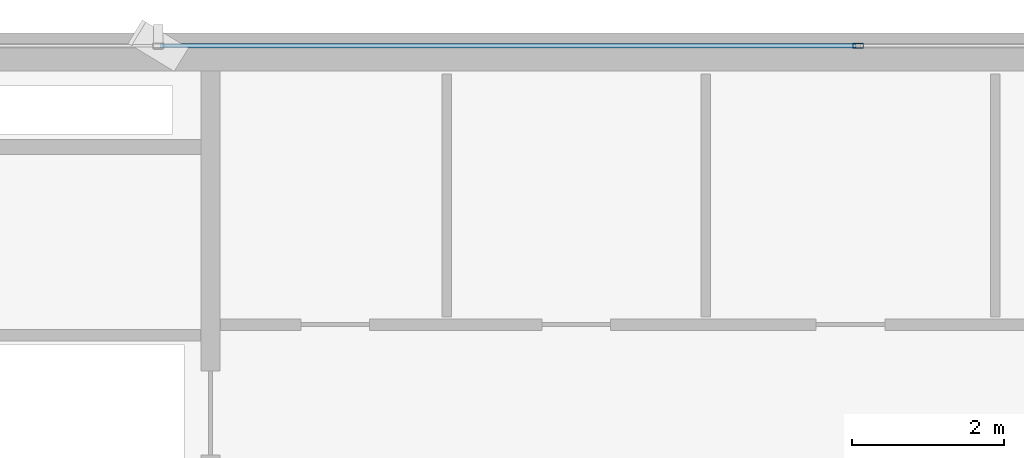
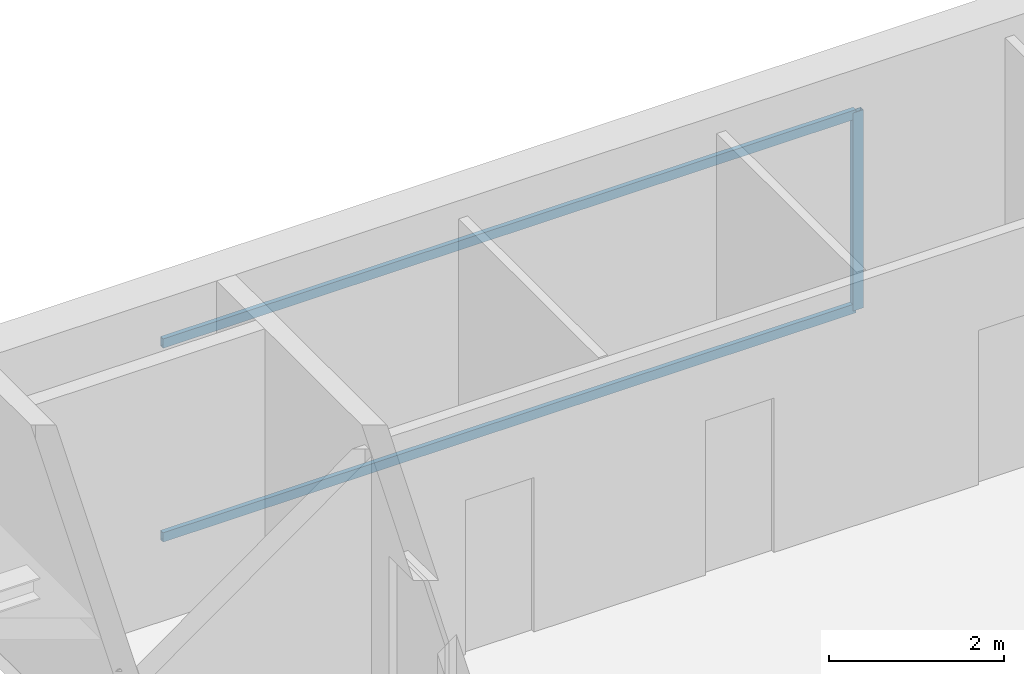
# One storey, part 20 of 29: 3 members, 1 element without a shape of its own.
"""IFC4 building model written with IfcOpenShell, lengths in metres."""

from ifc_helpers import new_model, si_unit, direction, frame, origin, origin_2d, place, context, subcontext, project, spatial, hollow_rectangle, extrude, source, transform, mapped, material, layer, layer_set, material_profile, profile_set, type_object, element, aggregate, save


model = new_model("IFC4")

# Units and contexts
model_context = context("Model", 3, precision=1e-05, world=origin(), true_north=direction((0.0, 1.0)))
body_context = subcontext(model_context, "Body", "Model", "MODEL_VIEW")
ifc_project = project(units=[si_unit("LENGTHUNIT", "METRE"), si_unit("AREAUNIT", "SQUARE_METRE"), si_unit("VOLUMEUNIT", "CUBIC_METRE"), si_unit("PLANEANGLEUNIT", "RADIAN"), si_unit("MASSUNIT", "GRAM", prefix="KILO")], contexts=[model_context])

# Site, building, storey
site_placement = place(None, origin())
site = spatial("IfcSite", under=ifc_project, at=site_placement, CompositionType="ELEMENT")
building_placement = place(site_placement, origin())
building = spatial("IfcBuilding", under=site, at=building_placement, Name="Sumidabori Civic Tower", CompositionType="ELEMENT")
storey_placement = place(building_placement, frame((0.0, 0.0, 207.199951171875)))
storey = spatial("IfcBuildingStorey", under=building, at=storey_placement, Name="L53", CompositionType="ELEMENT", Elevation=207.199951171875)

# Curtain wall, members
ifc_material = material(Name="Anodised Bronze Aluminium AW-6063-T6", Category="aluminium")
ifc_layer = layer(ifc_material, 0.179931640625, Name="Anodised Bronze Aluminium AW-6063-T6")
ifc_layer_set = layer_set([ifc_layer], Name="Anodised Bronze Aluminium AW-6063-T6")
curtain_wall_type = type_object("IfcCurtainWallType", Name="CW-SYS-5", PredefinedType="NOTDEFINED", material=ifc_layer_set)
curtain_wall_placement = place(storey_placement, origin())
curtain_wall = element("IfcCurtainWall", 1, at=curtain_wall_placement, inside=storey, type_object=curtain_wall_type, Name="Curtain Wall CW:L53:R13", PredefinedType="NOTDEFINED")
ifc_material_profile_1 = material_profile(ifc_material, hollow_rectangle(XDim=0.06005859375, YDim=0.139892578125, WallThickness=0.0048828125, at=origin_2d()), Name="ALU MULLION 140x60")
ifc_profile_set_1 = profile_set([ifc_material_profile_1], Name="Anodised Bronze Aluminium AW-6063-T6")
member_type_1 = type_object("IfcMemberType", Name="CW-MUL-140", PredefinedType="MULLION", material=ifc_profile_set_1)
shared_shape_1 = source(origin(), body_context, "Body", "SweptSolid", [
    extrude(hollow_rectangle(XDim=0.06005859375, YDim=0.139892578125, WallThickness=0.0048828125, at=origin_2d()), origin(), (0.0, 0.0, 1.0), 2.760009765625),
])
member_1_placement = place(storey_placement, frame((0.0, 23.8798828125, 0.0), z_axis=(0.0, 0.0, 1.0), x_axis=(0.0, -1.0, 0.0)))
member_1 = element("IfcMember", 2, at=member_1_placement, type_object=member_type_1, Name="CW-5 mullion 3", PredefinedType="MULLION", context=body_context, shape_type="MappedRepresentation", body=[
    mapped(shared_shape_1, transform((0.0, 0.0, 0.0), x_axis=(1.0, 0.0, 0.0), y_axis=(0.0, 1.0, 0.0), z_axis=(0.0, 0.0, 1.0), scale=1.0)),
])
ifc_material_profile_2 = material_profile(ifc_material, hollow_rectangle(XDim=0.06005859375, YDim=0.1298828125, WallThickness=0.0048828125, at=origin_2d()), Name="ALU TRANSOM 130x60")
ifc_profile_set_2 = profile_set([ifc_material_profile_2], Name="Anodised Bronze Aluminium AW-6063-T6")
member_type_2 = type_object("IfcMemberType", Name="CW-TRN-130", PredefinedType="USERDEFINED", material=ifc_profile_set_2)
shared_shape_2 = source(origin(), body_context, "Body", "SweptSolid", [
    extrude(hollow_rectangle(XDim=0.06005859375, YDim=0.1298828125, WallThickness=0.0048828125, at=origin_2d()), origin(), (0.0, 0.0, 1.0), 9.125),
])
member_2_placement = place(storey_placement, frame((-0.030029296875, 23.8798828125, 0.030029296875), z_axis=(-1.0, 0.0, 0.0), x_axis=(0.0, -1.0, 0.0)))
member_2 = element("IfcMember", 3, at=member_2_placement, type_object=member_type_2, Name="CW-5 transom 3.1", ObjectType="TRANSOM", PredefinedType="USERDEFINED", context=body_context, shape_type="MappedRepresentation", body=[
    mapped(shared_shape_2, transform((0.0, 0.0, 0.0), x_axis=(1.0, 0.0, 0.0), y_axis=(0.0, 1.0, 0.0), z_axis=(0.0, 0.0, 1.0), scale=1.0)),
])
member_3_placement = place(storey_placement, frame((-0.030029296875, 23.8798828125, 2.72998046875), z_axis=(-1.0, 0.0, 0.0), x_axis=(0.0, -1.0, 0.0)))
member_3 = element("IfcMember", 4, at=member_3_placement, type_object=member_type_2, Name="CW-5 transom 3.2", ObjectType="TRANSOM", PredefinedType="USERDEFINED", context=body_context, shape_type="MappedRepresentation", body=[
    mapped(shared_shape_2, transform((0.0, 0.0, 0.0), x_axis=(1.0, 0.0, 0.0), y_axis=(0.0, 1.0, 0.0), z_axis=(0.0, 0.0, 1.0), scale=1.0)),
])
aggregate(curtain_wall, [member_1, member_2, member_3])

save(model, "model.ifc")
